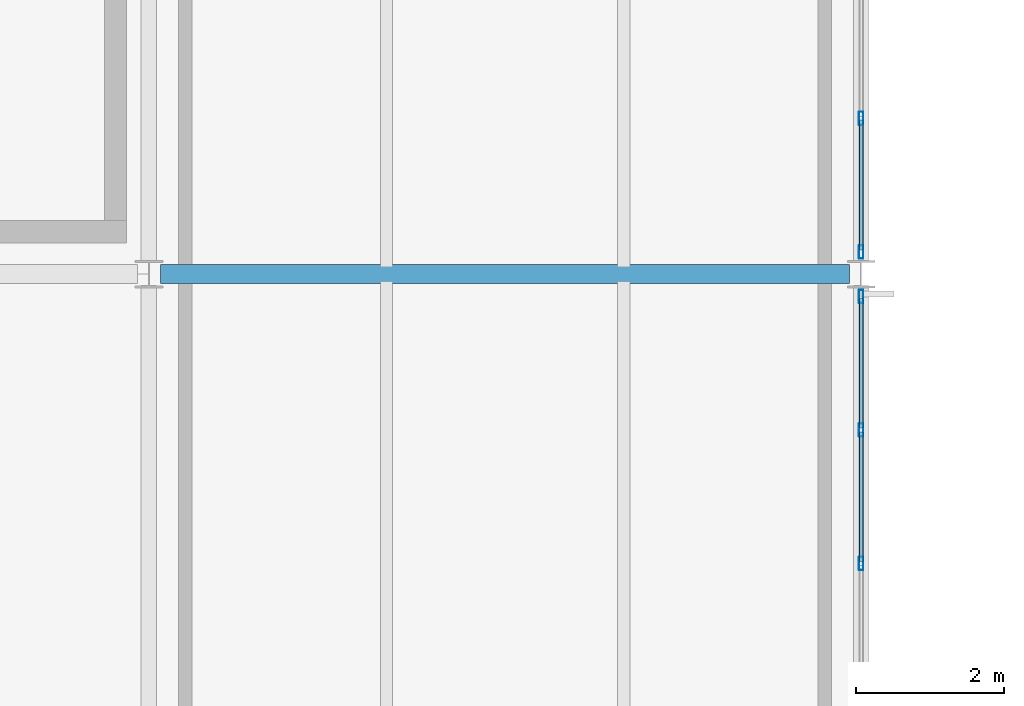
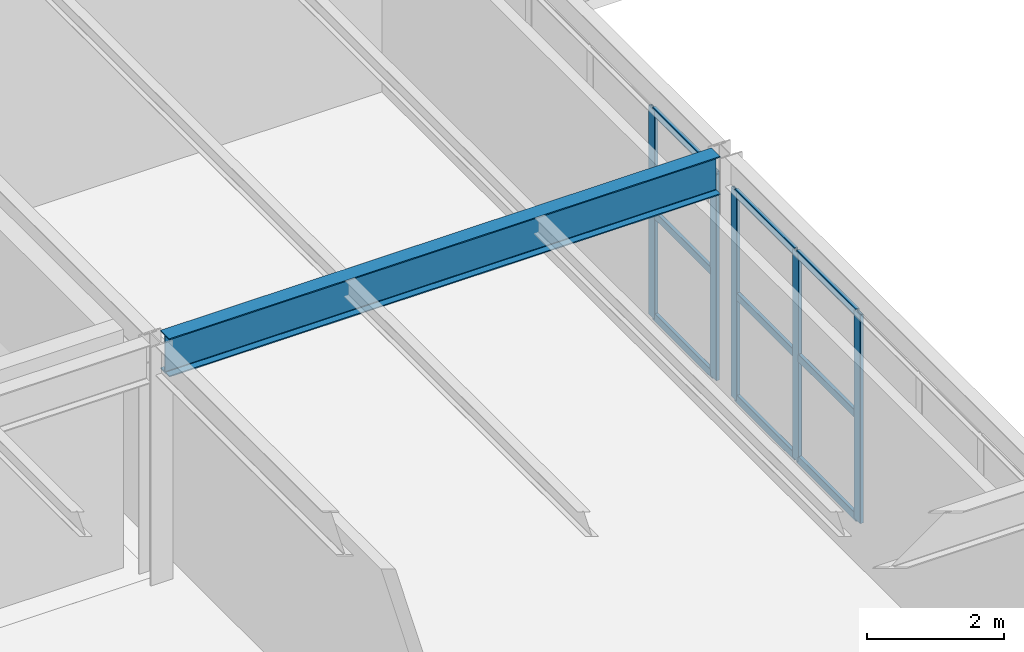
# One storey, part 28 of 170: 14 members, 1 beam, 2 elements without a shape of their own.
"""IFC4 building model written with IfcOpenShell, lengths in metres."""

from ifc_helpers import new_model, si_unit, direction, frame, origin, origin_2d, place, context, subcontext, project, spatial, hollow_rectangle, i_section, extrude, material, material_profile, profile_set, type_object, element, aggregate, save


model = new_model("IFC4")

# Units and contexts
model_context = context("Model", 3, precision=1e-05, world=origin(), true_north=direction((0.0, 1.0)))
body_context = subcontext(model_context, "Body", "Model", "MODEL_VIEW")
ifc_project = project(units=[si_unit("LENGTHUNIT", "METRE"), si_unit("AREAUNIT", "SQUARE_METRE"), si_unit("VOLUMEUNIT", "CUBIC_METRE"), si_unit("PLANEANGLEUNIT", "RADIAN"), si_unit("MASSUNIT", "GRAM", prefix="KILO")], contexts=[model_context])

# Site, building, storey
site_placement = place(None, origin())
site = spatial("IfcSite", under=ifc_project, at=site_placement, CompositionType="ELEMENT")
building_placement = place(site_placement, origin())
building = spatial("IfcBuilding", under=site, at=building_placement, Name="Coralgate Yard Interchange", CompositionType="ELEMENT")
storey_placement = place(building_placement, frame((0.0, 0.0, 6.0)))
storey = spatial("IfcBuildingStorey", under=building, at=storey_placement, Name="L01", CompositionType="ELEMENT", Elevation=6.0)

# Beam
ifc_material_1 = material(Name="Structural steel S355J2", Category="steel")
ifc_material_profile_1 = material_profile(ifc_material_1, i_section(OverallWidth=0.253662109375, OverallDepth=0.68359375, WebThickness=0.012451171875, FlangeThickness=0.01904296875, FilletRadius=0.01513671875, at=origin_2d()), Name="UB 686x254x140")
ifc_profile_set_1 = profile_set([ifc_material_profile_1], Name="Structural steel S355J2")
beam_type = type_object("IfcBeamType", Name="BM-SG-4", PredefinedType="BEAM", material=ifc_profile_set_1)
beam_placement = place(storey_placement, frame((19.356201171875, 28.800048828125, 3.908203125), z_axis=(1.0, 0.0, 0.0), x_axis=(0.0, 1.0, 0.0)))
element("IfcBeam", 1, at=beam_placement, inside=storey, type_object=beam_type, Name="L01 primary grid beam Y3 X2-3", PredefinedType="BEAM", context=body_context, shape_type="SweptSolid", body=[
    extrude(i_section(OverallWidth=0.253662109375, OverallDepth=0.68359375, WebThickness=0.012451171875, FlangeThickness=0.01904296875, FilletRadius=0.01513671875, at=origin_2d()), origin(), (0.0, 0.0, 1.0), 9.28759765625),
])

# Curtain wall, members
ifc_material_2 = material(Name="Anodised coastal aluminium and solar-control low-E glass", Category="aluminium")
curtain_wall_type_1 = type_object("IfcCurtainWallType", Name="CW-CW-L01-B", PredefinedType="NOTDEFINED", material=ifc_material_2)
curtain_wall_1_placement = place(storey_placement, origin())
curtain_wall_1 = element("IfcCurtainWall", 2, at=curtain_wall_1_placement, inside=storey, type_object=curtain_wall_type_1, Name="L01 unitised curtain wall CW-L01-E-02-02", PredefinedType="NOTDEFINED")
ifc_material_3 = material(Name="Anodised coastal aluminium 6063-T6", Category="aluminium")
ifc_material_profile_2 = material_profile(ifc_material_3, hollow_rectangle(XDim=0.06005859375, YDim=0.179931640625, WallThickness=0.00390625, InnerFilletRadius=0.00390625, OuterFilletRadius=0.008056640625, at=origin_2d()), Name="ALU 60x180x4")
ifc_profile_set_2 = profile_set([ifc_material_profile_2], Name="Anodised coastal aluminium 6063-T6")
member_type_1 = type_object("IfcMemberType", Name="MB-MUL-180", PredefinedType="MULLION", material=ifc_profile_set_2)
member_1_placement = place(storey_placement, frame((28.800048828125, 28.5, 0.0), z_axis=(0.0, 0.0, 1.0), x_axis=(1.0, 0.0, 0.0)))
member_1 = element("IfcMember", 3, at=member_1_placement, type_object=member_type_1, Name="CW-L01-E-02-02 vertical mullion 1", PredefinedType="MULLION", context=body_context, shape_type="SweptSolid", body=[
    extrude(hollow_rectangle(XDim=0.06005859375, YDim=0.179931640625, WallThickness=0.00390625, InnerFilletRadius=0.00390625, OuterFilletRadius=0.008056640625, at=origin_2d()), origin(), (0.0, 0.0, 1.0), 3.716796875),
])
member_2_placement = place(storey_placement, frame((28.800048828125, 26.699951171875, 0.0), z_axis=(0.0, 0.0, 1.0), x_axis=(1.0, 0.0, 0.0)))
member_2 = element("IfcMember", 4, at=member_2_placement, type_object=member_type_1, Name="CW-L01-E-02-02 vertical mullion 2", PredefinedType="MULLION", context=body_context, shape_type="SweptSolid", body=[
    extrude(hollow_rectangle(XDim=0.06005859375, YDim=0.179931640625, WallThickness=0.00390625, InnerFilletRadius=0.00390625, OuterFilletRadius=0.008056640625, at=origin_2d()), origin(), (0.0, 0.0, 1.0), 3.716796875),
])
member_3_placement = place(storey_placement, frame((28.800048828125, 24.89990234375, 0.0), z_axis=(0.0, 0.0, 1.0), x_axis=(1.0, 0.0, 0.0)))
member_3 = element("IfcMember", 5, at=member_3_placement, type_object=member_type_1, Name="CW-L01-E-02-02 vertical mullion 3", PredefinedType="MULLION", context=body_context, shape_type="SweptSolid", body=[
    extrude(hollow_rectangle(XDim=0.06005859375, YDim=0.179931640625, WallThickness=0.00390625, InnerFilletRadius=0.00390625, OuterFilletRadius=0.008056640625, at=origin_2d()), origin(), (0.0, 0.0, 1.0), 3.716796875),
])

curtain_wall_type_2 = type_object("IfcCurtainWallType", Name="CW-CW-L01-A", PredefinedType="NOTDEFINED", material=ifc_material_2)
curtain_wall_2_placement = place(storey_placement, origin())
curtain_wall_2 = element("IfcCurtainWall", 6, at=curtain_wall_2_placement, inside=storey, type_object=curtain_wall_type_2, Name="L01 unitised curtain wall CW-L01-E-02-03", PredefinedType="NOTDEFINED")
member_4_placement = place(storey_placement, frame((28.800048828125, 30.89990234375, 0.0), z_axis=(0.0, 0.0, 1.0), x_axis=(1.0, 0.0, 0.0)))
member_4 = element("IfcMember", 7, at=member_4_placement, type_object=member_type_1, Name="CW-L01-E-02-03 vertical mullion 5", PredefinedType="MULLION", context=body_context, shape_type="SweptSolid", body=[
    extrude(hollow_rectangle(XDim=0.06005859375, YDim=0.179931640625, WallThickness=0.00390625, InnerFilletRadius=0.00390625, OuterFilletRadius=0.008056640625, at=origin_2d()), origin(), (0.0, 0.0, 1.0), 3.716796875),
])
member_5_placement = place(storey_placement, frame((28.800048828125, 29.10009765625, 0.0), z_axis=(0.0, 0.0, 1.0), x_axis=(1.0, 0.0, 0.0)))
member_5 = element("IfcMember", 8, at=member_5_placement, type_object=member_type_1, Name="CW-L01-E-02-03 vertical mullion 6", PredefinedType="MULLION", context=body_context, shape_type="SweptSolid", body=[
    extrude(hollow_rectangle(XDim=0.06005859375, YDim=0.179931640625, WallThickness=0.00390625, InnerFilletRadius=0.00390625, OuterFilletRadius=0.008056640625, at=origin_2d()), origin(), (0.0, 0.0, 1.0), 3.716796875),
])

# Member
ifc_material_profile_3 = material_profile(ifc_material_3, hollow_rectangle(XDim=0.06005859375, YDim=0.139892578125, WallThickness=0.00341796875, InnerFilletRadius=0.00341796875, OuterFilletRadius=0.007080078125, at=origin_2d()), Name="ALU 60x140x3.5")
ifc_profile_set_3 = profile_set([ifc_material_profile_3], Name="Anodised coastal aluminium 6063-T6")
member_type_2 = type_object("IfcMemberType", Name="MB-TRN-140", PredefinedType="USERDEFINED", material=ifc_profile_set_3)
member_6_placement = place(storey_placement, frame((28.800048828125, 28.469970703125, 0.034912109375), z_axis=(0.0, -1.0, 0.0), x_axis=(1.0, 0.0, 0.0)))
member_6 = element("IfcMember", 9, at=member_6_placement, type_object=member_type_2, Name="CW-L01-E-02-02 horizontal transom 1-1", ObjectType="TRANSOM", PredefinedType="USERDEFINED", context=body_context, shape_type="SweptSolid", body=[
    extrude(hollow_rectangle(XDim=0.06005859375, YDim=0.139892578125, WallThickness=0.00341796875, InnerFilletRadius=0.00341796875, OuterFilletRadius=0.007080078125, at=origin_2d()), origin(), (0.0, 0.0, 1.0), 1.739990234375),
])

member_7_placement = place(storey_placement, frame((28.800048828125, 28.469970703125, 1.8583984375), z_axis=(0.0, -1.0, 0.0), x_axis=(1.0, 0.0, 0.0)))
member_7 = element("IfcMember", 10, at=member_7_placement, type_object=member_type_2, Name="CW-L01-E-02-02 horizontal transom 1-2", ObjectType="TRANSOM", PredefinedType="USERDEFINED", context=body_context, shape_type="SweptSolid", body=[
    extrude(hollow_rectangle(XDim=0.06005859375, YDim=0.139892578125, WallThickness=0.00341796875, InnerFilletRadius=0.00341796875, OuterFilletRadius=0.007080078125, at=origin_2d()), origin(), (0.0, 0.0, 1.0), 1.739990234375),
])

member_8_placement = place(storey_placement, frame((28.800048828125, 28.469970703125, 3.681884765625), z_axis=(0.0, -1.0, 0.0), x_axis=(1.0, 0.0, 0.0)))
member_8 = element("IfcMember", 11, at=member_8_placement, type_object=member_type_2, Name="CW-L01-E-02-02 horizontal transom 1-3", ObjectType="TRANSOM", PredefinedType="USERDEFINED", context=body_context, shape_type="SweptSolid", body=[
    extrude(hollow_rectangle(XDim=0.06005859375, YDim=0.139892578125, WallThickness=0.00341796875, InnerFilletRadius=0.00341796875, OuterFilletRadius=0.007080078125, at=origin_2d()), origin(), (0.0, 0.0, 1.0), 1.739990234375),
])

member_9_placement = place(storey_placement, frame((28.800048828125, 26.669921875, 0.034912109375), z_axis=(0.0, -1.0, 0.0), x_axis=(1.0, 0.0, 0.0)))
member_9 = element("IfcMember", 12, at=member_9_placement, type_object=member_type_2, Name="CW-L01-E-02-02 horizontal transom 2-1", ObjectType="TRANSOM", PredefinedType="USERDEFINED", context=body_context, shape_type="SweptSolid", body=[
    extrude(hollow_rectangle(XDim=0.06005859375, YDim=0.139892578125, WallThickness=0.00341796875, InnerFilletRadius=0.00341796875, OuterFilletRadius=0.007080078125, at=origin_2d()), origin(), (0.0, 0.0, 1.0), 1.739990234375),
])

member_10_placement = place(storey_placement, frame((28.800048828125, 26.669921875, 1.8583984375), z_axis=(0.0, -1.0, 0.0), x_axis=(1.0, 0.0, 0.0)))
member_10 = element("IfcMember", 13, at=member_10_placement, type_object=member_type_2, Name="CW-L01-E-02-02 horizontal transom 2-2", ObjectType="TRANSOM", PredefinedType="USERDEFINED", context=body_context, shape_type="SweptSolid", body=[
    extrude(hollow_rectangle(XDim=0.06005859375, YDim=0.139892578125, WallThickness=0.00341796875, InnerFilletRadius=0.00341796875, OuterFilletRadius=0.007080078125, at=origin_2d()), origin(), (0.0, 0.0, 1.0), 1.739990234375),
])

member_11_placement = place(storey_placement, frame((28.800048828125, 26.669921875, 3.681884765625), z_axis=(0.0, -1.0, 0.0), x_axis=(1.0, 0.0, 0.0)))
member_11 = element("IfcMember", 14, at=member_11_placement, type_object=member_type_2, Name="CW-L01-E-02-02 horizontal transom 2-3", ObjectType="TRANSOM", PredefinedType="USERDEFINED", context=body_context, shape_type="SweptSolid", body=[
    extrude(hollow_rectangle(XDim=0.06005859375, YDim=0.139892578125, WallThickness=0.00341796875, InnerFilletRadius=0.00341796875, OuterFilletRadius=0.007080078125, at=origin_2d()), origin(), (0.0, 0.0, 1.0), 1.739990234375),
])

aggregate(curtain_wall_1, [member_1, member_2, member_3, member_6, member_7, member_8, member_9, member_10, member_11])

member_12_placement = place(storey_placement, frame((28.800048828125, 30.8701171875, 0.034912109375), z_axis=(0.0, -1.0, 0.0), x_axis=(1.0, 0.0, 0.0)))
member_12 = element("IfcMember", 15, at=member_12_placement, type_object=member_type_2, Name="CW-L01-E-02-03 horizontal transom 5-1", ObjectType="TRANSOM", PredefinedType="USERDEFINED", context=body_context, shape_type="SweptSolid", body=[
    extrude(hollow_rectangle(XDim=0.06005859375, YDim=0.139892578125, WallThickness=0.00341796875, InnerFilletRadius=0.00341796875, OuterFilletRadius=0.007080078125, at=origin_2d()), origin(), (0.0, 0.0, 1.0), 1.740234375),
])

member_13_placement = place(storey_placement, frame((28.800048828125, 30.8701171875, 1.8583984375), z_axis=(0.0, -1.0, 0.0), x_axis=(1.0, 0.0, 0.0)))
member_13 = element("IfcMember", 16, at=member_13_placement, type_object=member_type_2, Name="CW-L01-E-02-03 horizontal transom 5-2", ObjectType="TRANSOM", PredefinedType="USERDEFINED", context=body_context, shape_type="SweptSolid", body=[
    extrude(hollow_rectangle(XDim=0.06005859375, YDim=0.139892578125, WallThickness=0.00341796875, InnerFilletRadius=0.00341796875, OuterFilletRadius=0.007080078125, at=origin_2d()), origin(), (0.0, 0.0, 1.0), 1.740234375),
])

member_14_placement = place(storey_placement, frame((28.800048828125, 30.8701171875, 3.681884765625), z_axis=(0.0, -1.0, 0.0), x_axis=(1.0, 0.0, 0.0)))
member_14 = element("IfcMember", 17, at=member_14_placement, type_object=member_type_2, Name="CW-L01-E-02-03 horizontal transom 5-3", ObjectType="TRANSOM", PredefinedType="USERDEFINED", context=body_context, shape_type="SweptSolid", body=[
    extrude(hollow_rectangle(XDim=0.06005859375, YDim=0.139892578125, WallThickness=0.00341796875, InnerFilletRadius=0.00341796875, OuterFilletRadius=0.007080078125, at=origin_2d()), origin(), (0.0, 0.0, 1.0), 1.740234375),
])

aggregate(curtain_wall_2, [member_4, member_5, member_12, member_13, member_14])

save(model, "model.ifc")
